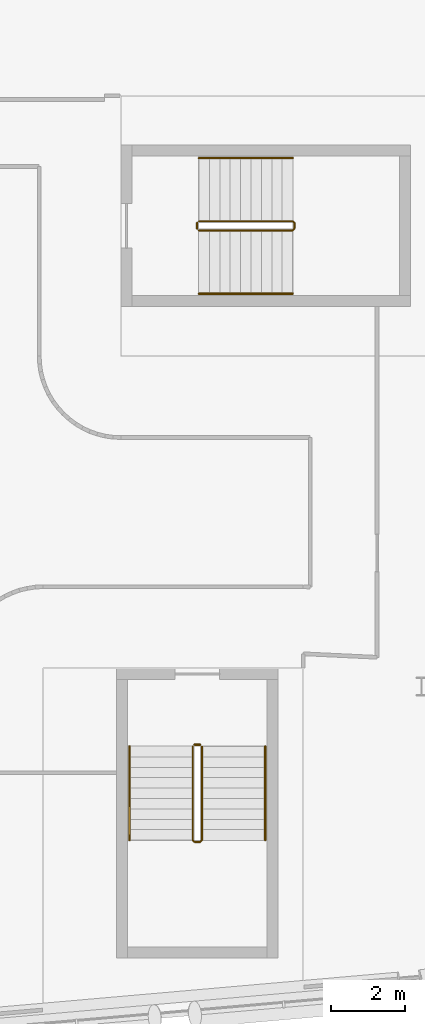
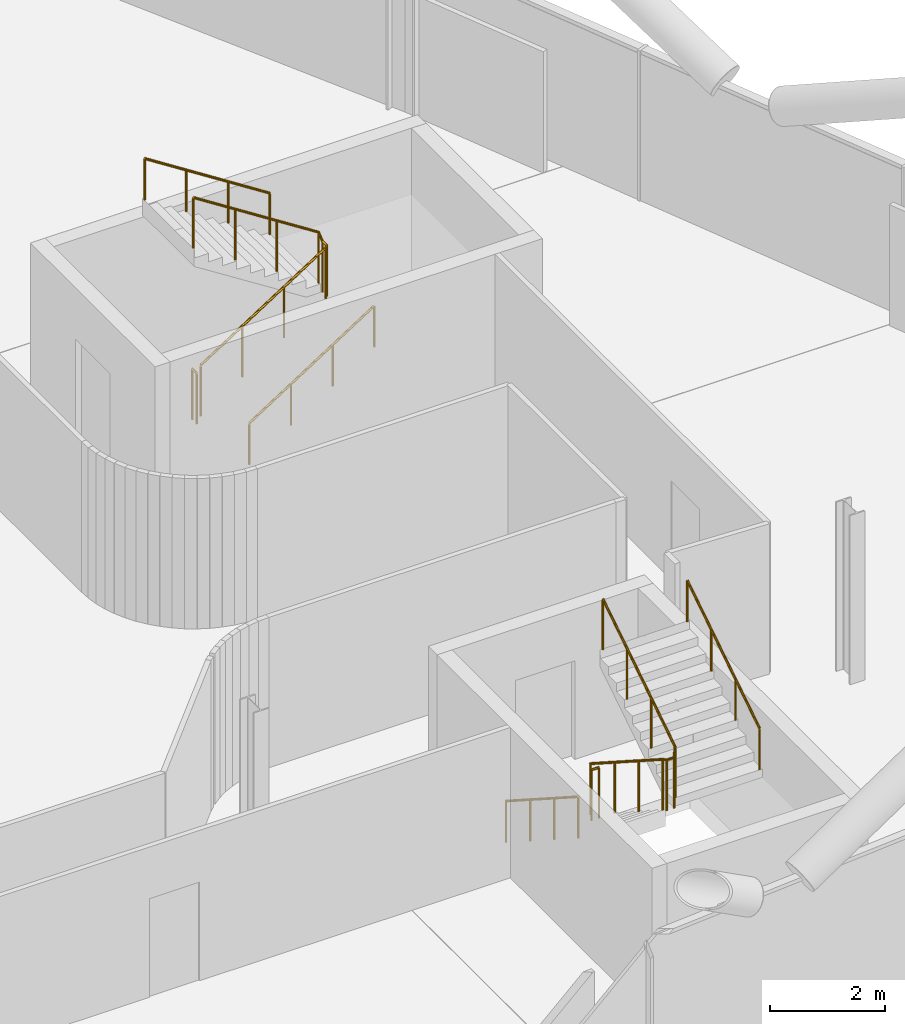
# One storey, part 26 of 27: 8 railings.
"""IFC4 building model written with IfcOpenShell, lengths in metres."""

from ifc_helpers import new_model, si_unit, direction, frame, origin, origin_2d, place, context, subcontext, project, spatial, circle, extrude, material, type_object, element, save


model = new_model("IFC4")

# Units and contexts
model_context = context("Model", 3, precision=1e-05, world=origin(), true_north=direction((0.0, 1.0)))
body_context = subcontext(model_context, "Body", "Model", "MODEL_VIEW")
ifc_project = project(units=[si_unit("LENGTHUNIT", "METRE"), si_unit("AREAUNIT", "SQUARE_METRE"), si_unit("VOLUMEUNIT", "CUBIC_METRE"), si_unit("PLANEANGLEUNIT", "RADIAN"), si_unit("MASSUNIT", "GRAM", prefix="KILO")], contexts=[model_context])

# Site, building, storey
site_placement = place(None, origin())
site = spatial("IfcSite", under=ifc_project, at=site_placement, CompositionType="ELEMENT")
building_placement = place(site_placement, origin())
building = spatial("IfcBuilding", under=site, at=building_placement, Name="Wharfspan Tower", CompositionType="ELEMENT")
storey_placement = place(building_placement, frame((0.0, 0.0, 159.100098)))
storey = spatial("IfcBuildingStorey", under=building, at=storey_placement, Name="L38", CompositionType="ELEMENT", Elevation=159.100098)

# Railings
ifc_material = material(Name="Steel S355J2", Category="steel")
railing_type_1 = type_object("IfcRailingType", Name="Stair guard 1100", PredefinedType="GUARDRAIL", material=ifc_material)
railing_1_placement = place(storey_placement, frame((65.836426, 9.883789, 0.179932)))
element("IfcRailing", 1, at=railing_1_placement, inside=storey, type_object=railing_type_1, Name="L38 ST5 stair guard 1", PredefinedType="GUARDRAIL", context=body_context, shape_type="SweptSolid", body=[
    extrude(circle(Radius=0.023926, at=origin_2d()), frame((0.0, 0.0, 1.076172), z_axis=(0.0, -0.8412, 0.540725), x_axis=(1.0, 0.0, 0.0)), (0.0, 0.0, 1.0), 2.99585),
    extrude(circle(Radius=0.023926, at=origin_2d()), frame((0.0, -2.52002, 2.695801), z_axis=(0.705376, -0.708834, 0.0), x_axis=(0.708834, 0.705376, 0.0)), (0.0, 0.0, 1.0), 0.070557),
    extrude(circle(Radius=0.023926, at=origin_2d()), frame((0.049805, -2.570068, 2.695801), z_axis=(1.0, 0.0, 0.0), x_axis=(0.0, 1.0, 0.0)), (0.0, 0.0, 1.0), 0.150146),
    extrude(circle(Radius=0.023926, at=origin_2d()), frame((0.199951, -2.570068, 2.695801), z_axis=(0.258544, 0.258544, 0.930758), x_axis=(-0.707107, 0.707107, 0.0)), (0.0, 0.0, 1.0), 0.193604),
    extrude(circle(Radius=0.023926, at=origin_2d()), frame((0.25, -2.52002, 2.875977), z_axis=(0.0, 0.8412, 0.540725), x_axis=(-1.0, 0.0, 0.0)), (0.0, 0.0, 1.0), 2.99585),
    extrude(circle(Radius=0.020996, at=origin_2d()), origin(), (0.0, 0.0, 1.0), 1.052002),
    extrude(circle(Radius=0.020996, at=origin_2d()), frame((0.0, -0.840088, 0.540039)), (0.0, 0.0, 1.0), 1.052002),
    extrude(circle(Radius=0.020996, at=origin_2d()), frame((0.0, -1.679932, 1.079834)), (0.0, 0.0, 1.0), 1.052002),
    extrude(circle(Radius=0.020996, at=origin_2d()), frame((0.0, -2.52002, 1.619873)), (0.0, 0.0, 1.0), 1.052002),
    extrude(circle(Radius=0.020996, at=origin_2d()), frame((0.049805, -2.570068, 1.619873)), (0.0, 0.0, 1.0), 1.052002),
    extrude(circle(Radius=0.020996, at=origin_2d()), frame((0.199951, -2.570068, 1.619873)), (0.0, 0.0, 1.0), 1.052002),
    extrude(circle(Radius=0.020996, at=origin_2d()), frame((0.25, -2.52002, 1.800049)), (0.0, 0.0, 1.0), 1.052002),
    extrude(circle(Radius=0.020996, at=origin_2d()), frame((0.25, -1.679932, 2.340088)), (0.0, 0.0, 1.0), 1.052002),
    extrude(circle(Radius=0.020996, at=origin_2d()), frame((0.25, -0.840088, 2.879883)), (0.0, 0.0, 1.0), 1.052002),
    extrude(circle(Radius=0.020996, at=origin_2d()), frame((0.25, 0.0, 3.419922)), (0.0, 0.0, 1.0), 1.052002),
])
railing_2_placement = place(storey_placement, frame((65.88623, 9.933594, 0.0)))
element("IfcRailing", 2, at=railing_2_placement, inside=storey, type_object=railing_type_1, Name="L38 ST5 stair guard 2", PredefinedType="GUARDRAIL", context=body_context, shape_type="SweptSolid", body=[
    extrude(circle(Radius=0.023926, at=origin_2d()), frame((0.0, 0.0, 1.076172), z_axis=(1.0, 0.0, 0.0), x_axis=(0.0, 1.0, 0.0)), (0.0, 0.0, 1.0), 0.150146),
    extrude(circle(Radius=0.020996, at=origin_2d()), origin(), (0.0, 0.0, 1.0), 1.052002),
    extrude(circle(Radius=0.020996, at=origin_2d()), frame((0.150146, 0.0, 0.0)), (0.0, 0.0, 1.0), 1.052002),
])
railing_3_placement = place(storey_placement, frame((66.004639, 23.774902, 0.179932)))
element("IfcRailing", 3, at=railing_3_placement, inside=storey, type_object=railing_type_1, Name="L38 ST6 stair guard 1", PredefinedType="GUARDRAIL", context=body_context, shape_type="SweptSolid", body=[
    extrude(circle(Radius=0.023926, at=origin_2d()), frame((0.0, 0.0, 1.076172), z_axis=(0.8412, 0.0, 0.540725), x_axis=(0.0, 1.0, 0.0)), (0.0, 0.0, 1.0), 2.99585),
    extrude(circle(Radius=0.023926, at=origin_2d()), frame((2.52002, 0.0, 2.695801), z_axis=(0.707107, 0.707107, 0.0), x_axis=(-0.707107, 0.707107, 0.0)), (0.0, 0.0, 1.0), 0.070801),
    extrude(circle(Radius=0.023926, at=origin_2d()), frame((2.570068, 0.050049, 2.695801), z_axis=(0.0, 1.0, 0.0), x_axis=(-1.0, 0.0, 0.0)), (0.0, 0.0, 1.0), 0.150146),
    extrude(circle(Radius=0.023926, at=origin_2d()), frame((2.570068, 0.200195, 2.695801), z_axis=(-0.258628, 0.257366, 0.931061), x_axis=(-0.705372, -0.708838, 2e-06)), (0.0, 0.0, 1.0), 0.193604),
    extrude(circle(Radius=0.023926, at=origin_2d()), frame((2.52002, 0.25, 2.875977), z_axis=(-0.8412, 0.0, 0.540725), x_axis=(0.0, -1.0, 0.0)), (0.0, 0.0, 1.0), 2.99585),
    extrude(circle(Radius=0.020996, at=origin_2d()), origin(), (0.0, 0.0, 1.0), 1.052002),
    extrude(circle(Radius=0.020996, at=origin_2d()), frame((0.840088, 0.0, 0.540039)), (0.0, 0.0, 1.0), 1.052002),
    extrude(circle(Radius=0.020996, at=origin_2d()), frame((1.679932, 0.0, 1.079834)), (0.0, 0.0, 1.0), 1.052002),
    extrude(circle(Radius=0.020996, at=origin_2d()), frame((2.52002, 0.0, 1.619873)), (0.0, 0.0, 1.0), 1.052002),
    extrude(circle(Radius=0.020996, at=origin_2d()), frame((2.570068, 0.050049, 1.619873)), (0.0, 0.0, 1.0), 1.052002),
    extrude(circle(Radius=0.020996, at=origin_2d()), frame((2.570068, 0.200195, 1.619873)), (0.0, 0.0, 1.0), 1.052002),
    extrude(circle(Radius=0.020996, at=origin_2d()), frame((2.52002, 0.25, 1.800049)), (0.0, 0.0, 1.0), 1.052002),
    extrude(circle(Radius=0.020996, at=origin_2d()), frame((1.679932, 0.25, 2.340088)), (0.0, 0.0, 1.0), 1.052002),
    extrude(circle(Radius=0.020996, at=origin_2d()), frame((0.840088, 0.25, 2.879883)), (0.0, 0.0, 1.0), 1.052002),
    extrude(circle(Radius=0.020996, at=origin_2d()), frame((0.0, 0.25, 3.419922)), (0.0, 0.0, 1.0), 1.052002),
])
railing_4_placement = place(storey_placement, frame((65.95459, 23.824951, 0.0)))
element("IfcRailing", 4, at=railing_4_placement, inside=storey, type_object=railing_type_1, Name="L38 ST6 stair guard 2", PredefinedType="GUARDRAIL", context=body_context, shape_type="SweptSolid", body=[
    extrude(circle(Radius=0.023926, at=origin_2d()), frame((0.0, 0.0, 1.076172), z_axis=(0.0, 1.0, 0.0), x_axis=(-1.0, 0.0, 0.0)), (0.0, 0.0, 1.0), 0.150146),
    extrude(circle(Radius=0.020996, at=origin_2d()), origin(), (0.0, 0.0, 1.0), 1.052002),
    extrude(circle(Radius=0.020996, at=origin_2d()), frame((0.0, 0.150146, 0.0)), (0.0, 0.0, 1.0), 1.052002),
])
railing_type_2 = type_object("IfcRailingType", Name="Stair handrail 900", PredefinedType="HANDRAIL", material=ifc_material)
railing_5_placement = place(storey_placement, frame((64.13623, 9.883789, 0.179932)))
element("IfcRailing", 5, at=railing_5_placement, inside=storey, type_object=railing_type_2, Name="L38 ST5 stair handrail 1", PredefinedType="HANDRAIL", context=body_context, shape_type="SweptSolid", body=[
    extrude(circle(Radius=0.023926, at=origin_2d()), frame((0.0, 0.0, 0.875977), z_axis=(0.0, -0.8412, 0.540725), x_axis=(1.0, 0.0, 0.0)), (0.0, 0.0, 1.0), 2.99585),
    extrude(circle(Radius=0.020996, at=origin_2d()), origin(), (0.0, 0.0, 1.0), 0.851807),
    extrude(circle(Radius=0.020996, at=origin_2d()), frame((0.0, -0.840088, 0.540039)), (0.0, 0.0, 1.0), 0.851807),
    extrude(circle(Radius=0.020996, at=origin_2d()), frame((0.0, -1.679932, 1.079834)), (0.0, 0.0, 1.0), 0.851807),
    extrude(circle(Radius=0.020996, at=origin_2d()), frame((0.0, -2.52002, 1.619873)), (0.0, 0.0, 1.0), 0.851807),
])
railing_6_placement = place(storey_placement, frame((67.786377, 7.36377, 1.97998)))
element("IfcRailing", 6, at=railing_6_placement, inside=storey, type_object=railing_type_2, Name="L38 ST5 stair handrail 2", PredefinedType="HANDRAIL", context=body_context, shape_type="SweptSolid", body=[
    extrude(circle(Radius=0.023926, at=origin_2d()), frame((0.0, 0.0, 0.875977), z_axis=(0.0, 0.8412, 0.540725), x_axis=(-1.0, 0.0, 0.0)), (0.0, 0.0, 1.0), 2.99585),
    extrude(circle(Radius=0.020996, at=origin_2d()), origin(), (0.0, 0.0, 1.0), 0.851807),
    extrude(circle(Radius=0.020996, at=origin_2d()), frame((0.0, 0.840088, 0.540039)), (0.0, 0.0, 1.0), 0.851807),
    extrude(circle(Radius=0.020996, at=origin_2d()), frame((0.0, 1.679932, 1.079834)), (0.0, 0.0, 1.0), 0.851807),
    extrude(circle(Radius=0.020996, at=origin_2d()), frame((0.0, 2.52002, 1.619873)), (0.0, 0.0, 1.0), 0.851807),
])
railing_7_placement = place(storey_placement, frame((66.004639, 22.074951, 0.179932)))
element("IfcRailing", 7, at=railing_7_placement, inside=storey, type_object=railing_type_2, Name="L38 ST6 stair handrail 1", PredefinedType="HANDRAIL", context=body_context, shape_type="SweptSolid", body=[
    extrude(circle(Radius=0.023926, at=origin_2d()), frame((0.0, 0.0, 0.875977), z_axis=(0.8412, 0.0, 0.540725), x_axis=(0.0, 1.0, 0.0)), (0.0, 0.0, 1.0), 2.99585),
    extrude(circle(Radius=0.020996, at=origin_2d()), origin(), (0.0, 0.0, 1.0), 0.851807),
    extrude(circle(Radius=0.020996, at=origin_2d()), frame((0.840088, 0.0, 0.540039)), (0.0, 0.0, 1.0), 0.851807),
    extrude(circle(Radius=0.020996, at=origin_2d()), frame((1.679932, 0.0, 1.079834)), (0.0, 0.0, 1.0), 0.851807),
    extrude(circle(Radius=0.020996, at=origin_2d()), frame((2.52002, 0.0, 1.619873)), (0.0, 0.0, 1.0), 0.851807),
])
railing_8_placement = place(storey_placement, frame((68.524658, 25.725098, 1.97998)))
element("IfcRailing", 8, at=railing_8_placement, inside=storey, type_object=railing_type_2, Name="L38 ST6 stair handrail 2", PredefinedType="HANDRAIL", context=body_context, shape_type="SweptSolid", body=[
    extrude(circle(Radius=0.023926, at=origin_2d()), frame((0.0, 0.0, 0.875977), z_axis=(-0.8412, 0.0, 0.540725), x_axis=(0.0, -1.0, 0.0)), (0.0, 0.0, 1.0), 2.99585),
    extrude(circle(Radius=0.020996, at=origin_2d()), origin(), (0.0, 0.0, 1.0), 0.851807),
    extrude(circle(Radius=0.020996, at=origin_2d()), frame((-0.840088, 0.0, 0.540039)), (0.0, 0.0, 1.0), 0.851807),
    extrude(circle(Radius=0.020996, at=origin_2d()), frame((-1.679932, 0.0, 1.079834)), (0.0, 0.0, 1.0), 0.851807),
    extrude(circle(Radius=0.020996, at=origin_2d()), frame((-2.52002, 0.0, 1.619873)), (0.0, 0.0, 1.0), 0.851807),
])

save(model, "model.ifc")
